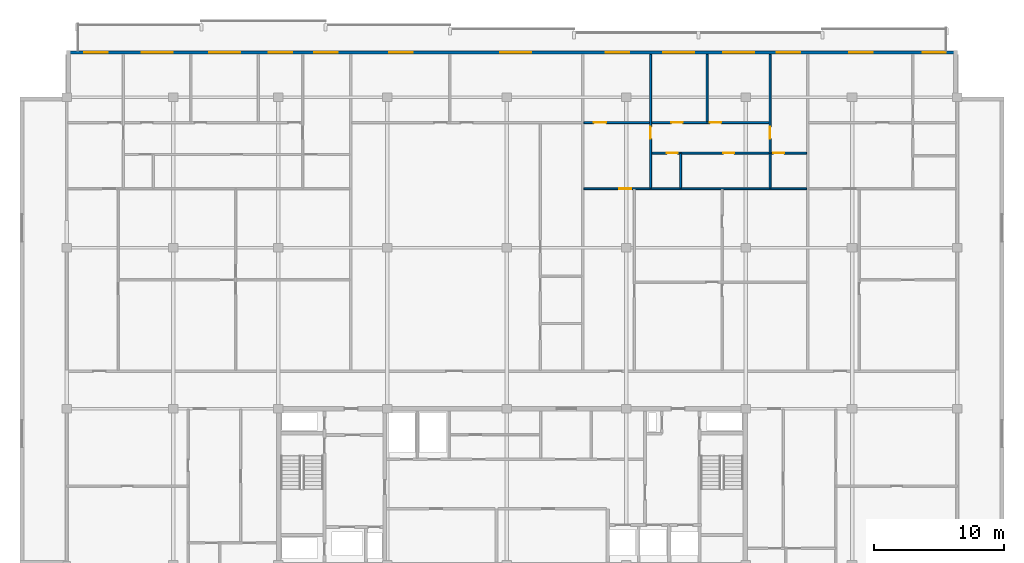
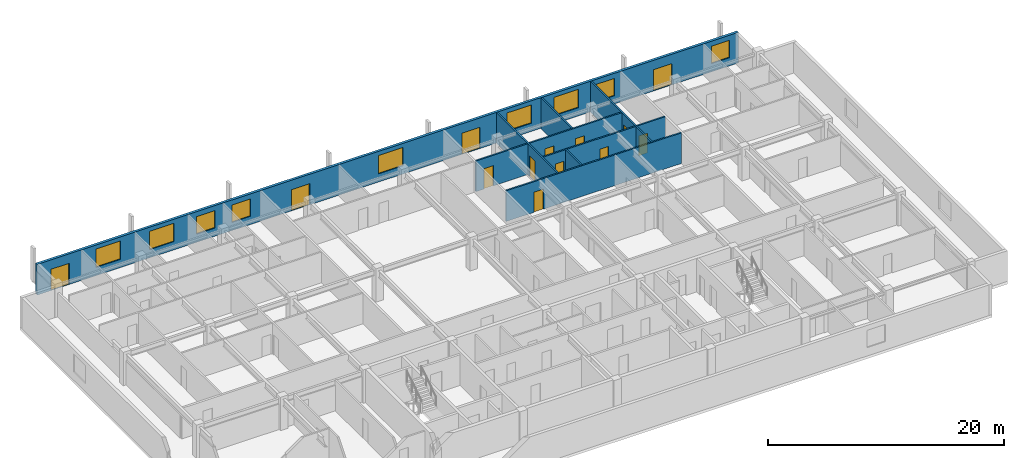
# One storey, part 7 of 10: 13 doors, 9 walls, 9 windows, 22 openings.
"""IFC4 building model written with IfcOpenShell, lengths in metres."""

from ifc_helpers import new_model, si_unit, direction, frame, frame_2d, origin, place, context, subcontext, project, spatial, rectangle, extrude, material, layer, layer_set, type_object, element, fill, save


model = new_model("IFC4")

# Units and contexts
model_context = context("Model", 3, precision=1e-05, world=origin(), true_north=direction((0.0, 1.0)))
body_context = subcontext(model_context, "Body", "Model", "MODEL_VIEW")
ifc_project = project(units=[si_unit("LENGTHUNIT", "METRE"), si_unit("AREAUNIT", "SQUARE_METRE"), si_unit("VOLUMEUNIT", "CUBIC_METRE"), si_unit("PLANEANGLEUNIT", "RADIAN"), si_unit("MASSUNIT", "GRAM", prefix="KILO")], contexts=[model_context])

# Site, building, storey
site_placement = place(None, origin())
site = spatial("IfcSite", under=ifc_project, at=site_placement, CompositionType="ELEMENT")
building_placement = place(site_placement, origin())
building = spatial("IfcBuilding", under=site, at=building_placement, Name="Korimba Cascade Residences", CompositionType="ELEMENT")
storey_placement = place(building_placement, frame((0.0, 0.0, 235.550048828125)))
storey = spatial("IfcBuildingStorey", under=building, at=storey_placement, Name="L68", CompositionType="ELEMENT", Elevation=235.550048828125)

# Wall, openings, doors, windows
ifc_material_1 = material(Name="Precast concrete C40/50", Category="concrete")
ifc_layer_1 = layer(ifc_material_1, 0.25)
ifc_layer_set_1 = layer_set([ifc_layer_1], Name="Precast concrete C40/50")
wall_type_1 = type_object("IfcWallType", Name="EW-LOG-250", PredefinedType="STANDARD", material=ifc_layer_set_1)
wall_1_placement = place(storey_placement, frame((128.39990234375, 94.64990234375, 0.0), z_axis=(0.0, 0.0, 1.0), x_axis=(-1.0, 0.0, 0.0)))
wall_1 = element("IfcWall", 1, at=wall_1_placement, inside=storey, type_object=wall_type_1, Name="L68 T1 Perimeter Stone Wall E06", PredefinedType="STANDARD", context=body_context, shape_type="SweptSolid", body=[
    extrude(rectangle(XDim=68.599853515625, YDim=0.25, at=frame_2d((34.2998046875, 0.0))), origin(), (0.0, 0.0, 1.0), 3.169921875),
])
opening_1_placement = place(wall_1_placement, frame((60.429931640625, 0.0, 0.85009765625)))
opening_1 = element("IfcOpeningElement", 2, at=opening_1_placement, cuts=wall_1, Name="Opening W-01", PredefinedType="OPENING", context=body_context, shape_type="SweptSolid", body=[
    extrude(rectangle(XDim=2.39990234375, YDim=1.89990234375, at=frame_2d((1.199951171875, 0.949951171875))), frame((0.0, 0.135009765625, 0.0), z_axis=(0.0, -1.0, 0.0), x_axis=(1.0, 0.0, 0.0)), (0.0, 0.0, 1.0), 0.27001953125),
])
opening_2_placement = place(wall_1_placement, frame((55.22998046875, 0.0, 0.85009765625)))
opening_2 = element("IfcOpeningElement", 3, at=opening_2_placement, cuts=wall_1, Name="Opening W-01", PredefinedType="OPENING", context=body_context, shape_type="SweptSolid", body=[
    extrude(rectangle(XDim=2.39990234375, YDim=1.89990234375, at=frame_2d((1.199951171875, 0.949951171875))), frame((0.0, 0.135009765625, 0.0), z_axis=(0.0, -1.0, 0.0), x_axis=(1.0, 0.0, 0.0)), (0.0, 0.0, 1.0), 0.27001953125),
])
opening_3_placement = place(wall_1_placement, frame((51.22509765625, 0.0, 0.85009765625)))
opening_3 = element("IfcOpeningElement", 4, at=opening_3_placement, cuts=wall_1, Name="Opening W-02", PredefinedType="OPENING", context=body_context, shape_type="SweptSolid", body=[
    extrude(rectangle(XDim=1.800048828125, YDim=1.800048828125, at=frame_2d((0.89990234375, 0.89990234375))), frame((0.0, 0.135009765625, 0.0), z_axis=(0.0, -1.0, 0.0), x_axis=(1.0, 0.0, 0.0)), (0.0, 0.0, 1.0), 0.27001953125),
])
opening_4_placement = place(wall_1_placement, frame((65.455078125, 0.0, 0.0)))
opening_4 = element("IfcOpeningElement", 5, at=opening_4_placement, cuts=wall_1, Name="Opening D-LG1", PredefinedType="OPENING", context=body_context, shape_type="SweptSolid", body=[
    extrude(rectangle(XDim=1.800048828125, YDim=2.199951171875, at=frame_2d((0.89990234375, 1.10009765625))), frame((0.0, 0.135009765625, 0.0), z_axis=(0.0, -1.0, 0.0), x_axis=(1.0, 0.0, 0.0)), (0.0, 0.0, 1.0), 0.27001953125),
])
opening_5_placement = place(wall_1_placement, frame((47.726318359375, 0.0, 0.85009765625)))
opening_5 = element("IfcOpeningElement", 6, at=opening_5_placement, cuts=wall_1, Name="Opening W-02", PredefinedType="OPENING", context=body_context, shape_type="SweptSolid", body=[
    extrude(rectangle(XDim=1.800048828125, YDim=1.800048828125, at=frame_2d((0.89990234375, 0.89990234375))), frame((0.0, 0.135009765625, 0.0), z_axis=(0.0, -1.0, 0.0), x_axis=(1.0, 0.0, 0.0)), (0.0, 0.0, 1.0), 0.27001953125),
])
opening_6_placement = place(wall_1_placement, frame((41.938232421875, 0.0, 0.0)))
opening_6 = element("IfcOpeningElement", 7, at=opening_6_placement, cuts=wall_1, Name="Opening D-LG1", PredefinedType="OPENING", context=body_context, shape_type="SweptSolid", body=[
    extrude(rectangle(XDim=1.800048828125, YDim=2.199951171875, at=frame_2d((0.89990234375, 1.10009765625))), frame((0.0, 0.135009765625, 0.0), z_axis=(0.0, -1.0, 0.0), x_axis=(1.0, 0.0, 0.0)), (0.0, 0.0, 1.0), 0.27001953125),
])
opening_7_placement = place(wall_1_placement, frame((32.823974609375, 0.0, 0.85009765625)))
opening_7 = element("IfcOpeningElement", 8, at=opening_7_placement, cuts=wall_1, Name="Opening W-01", PredefinedType="OPENING", context=body_context, shape_type="SweptSolid", body=[
    extrude(rectangle(XDim=2.39990234375, YDim=1.89990234375, at=frame_2d((1.199951171875, 0.949951171875))), frame((0.0, 0.135009765625, 0.0), z_axis=(0.0, -1.0, 0.0), x_axis=(1.0, 0.0, 0.0)), (0.0, 0.0, 1.0), 0.27001953125),
])
opening_8_placement = place(wall_1_placement, frame((20.2451171875, 0.0, 0.85009765625)))
opening_8 = element("IfcOpeningElement", 9, at=opening_8_placement, cuts=wall_1, Name="Opening W-01", PredefinedType="OPENING", context=body_context, shape_type="SweptSolid", body=[
    extrude(rectangle(XDim=2.39990234375, YDim=1.89990234375, at=frame_2d((1.199951171875, 0.949951171875))), frame((0.0, 0.135009765625, 0.0), z_axis=(0.0, -1.0, 0.0), x_axis=(1.0, 0.0, 0.0)), (0.0, 0.0, 1.0), 0.27001953125),
])
opening_9_placement = place(wall_1_placement, frame((15.64501953125, 0.0, 0.85009765625)))
opening_9 = element("IfcOpeningElement", 10, at=opening_9_placement, cuts=wall_1, Name="Opening W-01", PredefinedType="OPENING", context=body_context, shape_type="SweptSolid", body=[
    extrude(rectangle(XDim=2.39990234375, YDim=1.89990234375, at=frame_2d((1.199951171875, 0.949951171875))), frame((0.0, 0.135009765625, 0.0), z_axis=(0.0, -1.0, 0.0), x_axis=(1.0, 0.0, 0.0)), (0.0, 0.0, 1.0), 0.27001953125),
])
opening_10_placement = place(wall_1_placement, frame((25.272216796875, 0.0, 0.0)))
opening_10 = element("IfcOpeningElement", 11, at=opening_10_placement, cuts=wall_1, Name="Opening D-LG1", PredefinedType="OPENING", context=body_context, shape_type="SweptSolid", body=[
    extrude(rectangle(XDim=1.800048828125, YDim=2.199951171875, at=frame_2d((0.89990234375, 1.10009765625))), frame((0.0, 0.135009765625, 0.0), z_axis=(0.0, -1.0, 0.0), x_axis=(1.0, 0.0, 0.0)), (0.0, 0.0, 1.0), 0.27001953125),
])
opening_11_placement = place(wall_1_placement, frame((12.110107421875, 0.0, 0.85009765625)))
opening_11 = element("IfcOpeningElement", 12, at=opening_11_placement, cuts=wall_1, Name="Opening W-02", PredefinedType="OPENING", context=body_context, shape_type="SweptSolid", body=[
    extrude(rectangle(XDim=1.800048828125, YDim=1.800048828125, at=frame_2d((0.89990234375, 0.89990234375))), frame((0.0, 0.135009765625, 0.0), z_axis=(0.0, -1.0, 0.0), x_axis=(1.0, 0.0, 0.0)), (0.0, 0.0, 1.0), 0.27001953125),
])
opening_12_placement = place(wall_1_placement, frame((6.51513671875, 0.0, 0.0)))
opening_12 = element("IfcOpeningElement", 13, at=opening_12_placement, cuts=wall_1, Name="Opening D-LG1", PredefinedType="OPENING", context=body_context, shape_type="SweptSolid", body=[
    extrude(rectangle(XDim=1.800048828125, YDim=2.199951171875, at=frame_2d((0.89990234375, 1.10009765625))), frame((0.0, 0.135009765625, 0.0), z_axis=(0.0, -1.0, 0.0), x_axis=(1.0, 0.0, 0.0)), (0.0, 0.0, 1.0), 0.27001953125),
])
opening_13_placement = place(wall_1_placement, frame((0.8701171875, 0.0, 0.85009765625)))
opening_13 = element("IfcOpeningElement", 14, at=opening_13_placement, cuts=wall_1, Name="Opening W-02", PredefinedType="OPENING", context=body_context, shape_type="SweptSolid", body=[
    extrude(rectangle(XDim=1.800048828125, YDim=1.800048828125, at=frame_2d((0.89990234375, 0.89990234375))), frame((0.0, 0.135009765625, 0.0), z_axis=(0.0, -1.0, 0.0), x_axis=(1.0, 0.0, 0.0)), (0.0, 0.0, 1.0), 0.27001953125),
])
ifc_material_2 = material(Name="Glazed Aluminium Loggia Sliding Door", Category="aluminium")
door_type_1 = type_object("IfcDoorType", Name="DR-EXT-LOG", OperationType="NOTDEFINED", PredefinedType="DOOR", material=ifc_material_2)
door_1_placement = place(opening_4_placement, origin())
door_1 = element("IfcDoor", 15, at=door_1_placement, inside=storey, type_object=door_type_1, Name="L68 T1 Loggia Sliding Door 6", OperationType="SLIDING_TO_LEFT", OverallHeight=2.199951171875, OverallWidth=1.800048828125, PredefinedType="DOOR", context=body_context, shape_type="SweptSolid", body=[
    extrude(rectangle(XDim=1.800048828125, YDim=2.199951171875, at=frame_2d((0.89990234375, 1.10009765625))), frame((0.0, 0.02490234375, 0.0), z_axis=(0.0, -1.0, 0.0), x_axis=(1.0, 0.0, 0.0)), (0.0, 0.0, 1.0), 0.050048828125),
])
fill(opening_4, door_1)
door_2_placement = place(opening_6_placement, origin())
door_2 = element("IfcDoor", 16, at=door_2_placement, inside=storey, type_object=door_type_1, Name="L68 T1 Loggia Sliding Door 8", OperationType="SLIDING_TO_LEFT", OverallHeight=2.199951171875, OverallWidth=1.800048828125, PredefinedType="DOOR", context=body_context, shape_type="SweptSolid", body=[
    extrude(rectangle(XDim=1.800048828125, YDim=2.199951171875, at=frame_2d((0.89990234375, 1.10009765625))), frame((0.0, 0.02490234375, 0.0), z_axis=(0.0, -1.0, 0.0), x_axis=(1.0, 0.0, 0.0)), (0.0, 0.0, 1.0), 0.050048828125),
])
fill(opening_6, door_2)
door_3_placement = place(opening_10_placement, origin())
door_3 = element("IfcDoor", 17, at=door_3_placement, inside=storey, type_object=door_type_1, Name="L68 T1 Loggia Sliding Door 12", OperationType="SLIDING_TO_LEFT", OverallHeight=2.199951171875, OverallWidth=1.800048828125, PredefinedType="DOOR", context=body_context, shape_type="SweptSolid", body=[
    extrude(rectangle(XDim=1.800048828125, YDim=2.199951171875, at=frame_2d((0.89990234375, 1.10009765625))), frame((0.0, 0.02490234375, 0.0), z_axis=(0.0, -1.0, 0.0), x_axis=(1.0, 0.0, 0.0)), (0.0, 0.0, 1.0), 0.050048828125),
])
fill(opening_10, door_3)
door_4_placement = place(opening_12_placement, origin())
door_4 = element("IfcDoor", 18, at=door_4_placement, inside=storey, type_object=door_type_1, Name="L68 T1 Loggia Sliding Door 14", OperationType="SLIDING_TO_LEFT", OverallHeight=2.199951171875, OverallWidth=1.800048828125, PredefinedType="DOOR", context=body_context, shape_type="SweptSolid", body=[
    extrude(rectangle(XDim=1.800048828125, YDim=2.199951171875, at=frame_2d((0.89990234375, 1.10009765625))), frame((0.0, 0.02490234375, 0.0), z_axis=(0.0, -1.0, 0.0), x_axis=(1.0, 0.0, 0.0)), (0.0, 0.0, 1.0), 0.050048828125),
])
fill(opening_12, door_4)
ifc_material_3 = material(Name="Double-Glazed Aluminium Window", Category="aluminium")
window_type_1 = type_object("IfcWindowType", Name="WIN-BED-1800", PartitioningType="SINGLE_PANEL", PredefinedType="WINDOW", material=ifc_material_3)
window_1_placement = place(opening_3_placement, origin())
window_1 = element("IfcWindow", 19, at=window_1_placement, inside=storey, type_object=window_type_1, Name="L68 T1 North Facade Window 5", OverallHeight=1.800048828125, OverallWidth=1.800048828125, PartitioningType="SINGLE_PANEL", PredefinedType="WINDOW", context=body_context, shape_type="SweptSolid", body=[
    extrude(rectangle(XDim=1.800048828125, YDim=1.800048828125, at=frame_2d((0.89990234375, 0.89990234375))), frame((0.0, 0.030029296875, 0.0), z_axis=(0.0, -1.0, 0.0), x_axis=(1.0, 0.0, 0.0)), (0.0, 0.0, 1.0), 0.06005859375),
])
fill(opening_3, window_1)
window_2_placement = place(opening_5_placement, origin())
window_2 = element("IfcWindow", 20, at=window_2_placement, inside=storey, type_object=window_type_1, Name="L68 T1 North Facade Window 7", OverallHeight=1.800048828125, OverallWidth=1.800048828125, PartitioningType="SINGLE_PANEL", PredefinedType="WINDOW", context=body_context, shape_type="SweptSolid", body=[
    extrude(rectangle(XDim=1.800048828125, YDim=1.800048828125, at=frame_2d((0.89990234375, 0.89990234375))), frame((0.0, 0.030029296875, 0.0), z_axis=(0.0, -1.0, 0.0), x_axis=(1.0, 0.0, 0.0)), (0.0, 0.0, 1.0), 0.06005859375),
])
fill(opening_5, window_2)
window_3_placement = place(opening_11_placement, origin())
window_3 = element("IfcWindow", 21, at=window_3_placement, inside=storey, type_object=window_type_1, Name="L68 T1 North Facade Window 13", OverallHeight=1.800048828125, OverallWidth=1.800048828125, PartitioningType="SINGLE_PANEL", PredefinedType="WINDOW", context=body_context, shape_type="SweptSolid", body=[
    extrude(rectangle(XDim=1.800048828125, YDim=1.800048828125, at=frame_2d((0.89990234375, 0.89990234375))), frame((0.0, 0.030029296875, 0.0), z_axis=(0.0, -1.0, 0.0), x_axis=(1.0, 0.0, 0.0)), (0.0, 0.0, 1.0), 0.06005859375),
])
fill(opening_11, window_3)
window_4_placement = place(opening_13_placement, origin())
window_4 = element("IfcWindow", 22, at=window_4_placement, inside=storey, type_object=window_type_1, Name="L68 T1 North Facade Window 15", OverallHeight=1.800048828125, OverallWidth=1.800048828125, PartitioningType="SINGLE_PANEL", PredefinedType="WINDOW", context=body_context, shape_type="SweptSolid", body=[
    extrude(rectangle(XDim=1.800048828125, YDim=1.800048828125, at=frame_2d((0.89990234375, 0.89990234375))), frame((0.0, 0.030029296875, 0.0), z_axis=(0.0, -1.0, 0.0), x_axis=(1.0, 0.0, 0.0)), (0.0, 0.0, 1.0), 0.06005859375),
])
fill(opening_13, window_4)
window_type_2 = type_object("IfcWindowType", Name="WIN-RES-2400", PartitioningType="DOUBLE_PANEL_VERTICAL", PredefinedType="WINDOW", material=ifc_material_3)
window_5_placement = place(opening_1_placement, origin())
window_5 = element("IfcWindow", 23, at=window_5_placement, inside=storey, type_object=window_type_2, Name="L68 T1 North Facade Window 3", OverallHeight=1.89990234375, OverallWidth=2.39990234375, PartitioningType="DOUBLE_PANEL_VERTICAL", PredefinedType="WINDOW", context=body_context, shape_type="SweptSolid", body=[
    extrude(rectangle(XDim=2.39990234375, YDim=1.89990234375, at=frame_2d((1.199951171875, 0.949951171875))), frame((0.0, 0.030029296875, 0.0), z_axis=(0.0, -1.0, 0.0), x_axis=(1.0, 0.0, 0.0)), (0.0, 0.0, 1.0), 0.06005859375),
])
fill(opening_1, window_5)
window_6_placement = place(opening_2_placement, origin())
window_6 = element("IfcWindow", 24, at=window_6_placement, inside=storey, type_object=window_type_2, Name="L68 T1 North Facade Window 4", OverallHeight=1.89990234375, OverallWidth=2.39990234375, PartitioningType="DOUBLE_PANEL_VERTICAL", PredefinedType="WINDOW", context=body_context, shape_type="SweptSolid", body=[
    extrude(rectangle(XDim=2.39990234375, YDim=1.89990234375, at=frame_2d((1.199951171875, 0.949951171875))), frame((0.0, 0.030029296875, 0.0), z_axis=(0.0, -1.0, 0.0), x_axis=(1.0, 0.0, 0.0)), (0.0, 0.0, 1.0), 0.06005859375),
])
fill(opening_2, window_6)
window_7_placement = place(opening_7_placement, origin())
window_7 = element("IfcWindow", 25, at=window_7_placement, inside=storey, type_object=window_type_2, Name="L68 T1 North Facade Window 9", OverallHeight=1.89990234375, OverallWidth=2.39990234375, PartitioningType="DOUBLE_PANEL_VERTICAL", PredefinedType="WINDOW", context=body_context, shape_type="SweptSolid", body=[
    extrude(rectangle(XDim=2.39990234375, YDim=1.89990234375, at=frame_2d((1.199951171875, 0.949951171875))), frame((0.0, 0.030029296875, 0.0), z_axis=(0.0, -1.0, 0.0), x_axis=(1.0, 0.0, 0.0)), (0.0, 0.0, 1.0), 0.06005859375),
])
fill(opening_7, window_7)
window_8_placement = place(opening_8_placement, origin())
window_8 = element("IfcWindow", 26, at=window_8_placement, inside=storey, type_object=window_type_2, Name="L68 T1 North Facade Window 10", OverallHeight=1.89990234375, OverallWidth=2.39990234375, PartitioningType="DOUBLE_PANEL_VERTICAL", PredefinedType="WINDOW", context=body_context, shape_type="SweptSolid", body=[
    extrude(rectangle(XDim=2.39990234375, YDim=1.89990234375, at=frame_2d((1.199951171875, 0.949951171875))), frame((0.0, 0.030029296875, 0.0), z_axis=(0.0, -1.0, 0.0), x_axis=(1.0, 0.0, 0.0)), (0.0, 0.0, 1.0), 0.06005859375),
])
fill(opening_8, window_8)
window_9_placement = place(opening_9_placement, origin())
window_9 = element("IfcWindow", 27, at=window_9_placement, inside=storey, type_object=window_type_2, Name="L68 T1 North Facade Window 11", OverallHeight=1.89990234375, OverallWidth=2.39990234375, PartitioningType="DOUBLE_PANEL_VERTICAL", PredefinedType="WINDOW", context=body_context, shape_type="SweptSolid", body=[
    extrude(rectangle(XDim=2.39990234375, YDim=1.89990234375, at=frame_2d((1.199951171875, 0.949951171875))), frame((0.0, 0.030029296875, 0.0), z_axis=(0.0, -1.0, 0.0), x_axis=(1.0, 0.0, 0.0)), (0.0, 0.0, 1.0), 0.06005859375),
])
fill(opening_9, window_9)

# Walls
ifc_material_4 = material(Name="Insulated Acoustic Stud Partition", Category="gypsum")
ifc_layer_2 = layer(ifc_material_4, 0.14990234375)
ifc_layer_set_2 = layer_set([ifc_layer_2], Name="Insulated Acoustic Stud Partition")
wall_type_2 = type_object("IfcWallType", Name="WAL-PART-150", PredefinedType="PARTITIONING", material=ifc_layer_set_2)
wall_2_placement = place(storey_placement, frame((107.090087890625, 84.18994140625, 0.0), z_axis=(0.0, 0.0, 1.0), x_axis=(0.0, 1.0, 0.0)))
element("IfcWall", 28, at=wall_2_placement, inside=storey, type_object=wall_type_2, Name="L68 Partition Wall WAL-L68-T1-U03-VDRS", PredefinedType="PARTITIONING", context=body_context, shape_type="SweptSolid", body=[
    extrude(rectangle(XDim=2.68994140625, YDim=0.14990234375, at=frame_2d((1.344970703125, 0.0))), origin(), (0.0, 0.0, 1.0), 3.169921875),
])
wall_3_placement = place(storey_placement, frame((109.1298828125, 89.330078125, 0.0), z_axis=(0.0, 0.0, 1.0), x_axis=(0.0, 1.0, 0.0)))
element("IfcWall", 29, at=wall_3_placement, inside=storey, type_object=wall_type_2, Name="L68 Partition Wall WAL-L68-T1-U03-VSTD", PredefinedType="PARTITIONING", context=body_context, shape_type="SweptSolid", body=[
    extrude(rectangle(XDim=5.169921875, YDim=0.14990234375, at=frame_2d((2.5849609375, 0.0))), origin(), (0.0, 0.0, 1.0), 3.169921875),
])

# Wall, opening, door
wall_4_placement = place(storey_placement, frame((104.780029296875, 84.18994140625, 0.0), z_axis=(0.0, 0.0, 1.0), x_axis=(0.0, 1.0, 0.0)))
wall_4 = element("IfcWall", 30, at=wall_4_placement, inside=storey, type_object=wall_type_2, Name="L68 Partition Wall WAL-L68-T1-U03-V1", PredefinedType="PARTITIONING", context=body_context, shape_type="SweptSolid", body=[
    extrude(rectangle(XDim=10.31005859375, YDim=0.14990234375, at=frame_2d((5.155029296875, 0.0))), origin(), (0.0, 0.0, 1.0), 3.169921875),
])
opening_14_placement = place(wall_4_placement, frame((3.820068359375, 0.0, 0.0)))
opening_14 = element("IfcOpeningElement", 31, at=opening_14_placement, cuts=wall_4, Name="Opening D-IN1", PredefinedType="OPENING", context=body_context, shape_type="SweptSolid", body=[
    extrude(rectangle(XDim=0.919921875, YDim=2.080078125, at=frame_2d((0.4599609375, 1.0400390625))), frame((0.0, 0.0849609375, 0.0), z_axis=(0.0, -1.0, 0.0), x_axis=(1.0, 0.0, 0.0)), (0.0, 0.0, 1.0), 0.169921875),
])
ifc_material_5 = material(Name="Acoustic Timber Living Door", Category="wood")
door_type_2 = type_object("IfcDoorType", Name="DR-INT-920", OperationType="NOTDEFINED", PredefinedType="DOOR", material=ifc_material_5)
door_5_placement = place(opening_14_placement, origin())
door_5 = element("IfcDoor", 32, at=door_5_placement, inside=storey, type_object=door_type_2, Name="L68-T1-U03 Hallway Door", OperationType="SINGLE_SWING_RIGHT", OverallHeight=2.080078125, OverallWidth=0.919921875, PredefinedType="DOOR", context=body_context, shape_type="SweptSolid", body=[
    extrude(rectangle(XDim=0.919921875, YDim=2.080078125, at=frame_2d((0.4599609375, 1.0400390625))), frame((0.0, 0.02490234375, 0.0), z_axis=(0.0, -1.0, 0.0), x_axis=(1.0, 0.0, 0.0)), (0.0, 0.0, 1.0), 0.050048828125),
])
fill(opening_14, door_5)

# Wall
wall_5_placement = place(storey_placement, frame((113.97998046875, 84.18994140625, 0.0), z_axis=(0.0, 0.0, 1.0), x_axis=(0.0, 1.0, 0.0)))
element("IfcWall", 33, at=wall_5_placement, inside=storey, type_object=wall_type_2, Name="L68 Partition Wall WAL-L68-T1-U03-VBATH", PredefinedType="PARTITIONING", context=body_context, shape_type="SweptSolid", body=[
    extrude(rectangle(XDim=2.68994140625, YDim=0.14990234375, at=frame_2d((1.344970703125, 0.0))), origin(), (0.0, 0.0, 1.0), 3.169921875),
])

# Wall, opening, door
wall_6_placement = place(storey_placement, frame((113.97998046875, 86.919921875, 0.0), z_axis=(0.0, 0.0, 1.0), x_axis=(0.0, 1.0, 0.0)))
wall_6 = element("IfcWall", 34, at=wall_6_placement, inside=storey, type_object=wall_type_2, Name="L68 Partition Wall WAL-L68-T1-U03-V2FULL", PredefinedType="PARTITIONING", context=body_context, shape_type="SweptSolid", body=[
    extrude(rectangle(XDim=7.580078125, YDim=0.14990234375, at=frame_2d((3.7900390625, 0.0))), origin(), (0.0, 0.0, 1.0), 3.169921875),
])
opening_15_placement = place(wall_6_placement, frame((1.090087890625, 0.0, 0.0)))
opening_15 = element("IfcOpeningElement", 35, at=opening_15_placement, cuts=wall_6, Name="Opening D-IN1", PredefinedType="OPENING", context=body_context, shape_type="SweptSolid", body=[
    extrude(rectangle(XDim=0.919921875, YDim=2.080078125, at=frame_2d((0.4599609375, 1.0400390625))), frame((0.0, 0.0849609375, 0.0), z_axis=(0.0, -1.0, 0.0), x_axis=(1.0, 0.0, 0.0)), (0.0, 0.0, 1.0), 0.169921875),
])
door_6_placement = place(opening_15_placement, origin())
door_6 = element("IfcDoor", 36, at=door_6_placement, inside=storey, type_object=door_type_2, Name="L68-T1-U03 Master Bedroom Door", OperationType="SINGLE_SWING_LEFT", OverallHeight=2.080078125, OverallWidth=0.919921875, PredefinedType="DOOR", context=body_context, shape_type="SweptSolid", body=[
    extrude(rectangle(XDim=0.919921875, YDim=2.080078125, at=frame_2d((0.4599609375, 1.0400390625))), frame((0.0, 0.02490234375, 0.0), z_axis=(0.0, -1.0, 0.0), x_axis=(1.0, 0.0, 0.0)), (0.0, 0.0, 1.0), 0.050048828125),
])
fill(opening_15, door_6)

# Wall, openings, doors
wall_7_placement = place(storey_placement, frame((104.820068359375, 86.89990234375, 0.0), z_axis=(0.0, 0.0, 1.0), x_axis=(1.0, 0.0, 0.0)))
wall_7 = element("IfcWall", 37, at=wall_7_placement, inside=storey, type_object=wall_type_2, Name="L68 Partition Wall WAL-L68-T1-U03-HWALL", PredefinedType="PARTITIONING", context=body_context, shape_type="SweptSolid", body=[
    extrude(rectangle(XDim=11.969482421875, YDim=0.14990234375, at=frame_2d((5.98486328125, 0.0))), origin(), (0.0, 0.0, 1.0), 3.169921875),
])
opening_16_placement = place(wall_7_placement, frame((1.2099609375, 0.0, 0.0)))
opening_16 = element("IfcOpeningElement", 38, at=opening_16_placement, cuts=wall_7, Name="Opening D-BT1", PredefinedType="OPENING", context=body_context, shape_type="SweptSolid", body=[
    extrude(rectangle(XDim=0.840087890625, YDim=2.0400390625, at=frame_2d((0.419921875, 1.02001953125))), frame((0.0, 0.0849609375, 0.0), z_axis=(0.0, -1.0, 0.0), x_axis=(1.0, 0.0, 0.0)), (0.0, 0.0, 1.0), 0.169921875),
])
opening_17_placement = place(wall_7_placement, frame((5.564697265625, 0.0, 0.0)))
opening_17 = element("IfcOpeningElement", 39, at=opening_17_placement, cuts=wall_7, Name="Opening D-BT1", PredefinedType="OPENING", context=body_context, shape_type="SweptSolid", body=[
    extrude(rectangle(XDim=0.840087890625, YDim=2.0400390625, at=frame_2d((0.419921875, 1.02001953125))), frame((0.0, 0.0849609375, 0.0), z_axis=(0.0, -1.0, 0.0), x_axis=(1.0, 0.0, 0.0)), (0.0, 0.0, 1.0), 0.169921875),
])
opening_18_placement = place(wall_7_placement, frame((9.409912109375, 0.0, 0.0)))
opening_18 = element("IfcOpeningElement", 40, at=opening_18_placement, cuts=wall_7, Name="Opening D-BT1", PredefinedType="OPENING", context=body_context, shape_type="SweptSolid", body=[
    extrude(rectangle(XDim=0.840087890625, YDim=2.0400390625, at=frame_2d((0.419921875, 1.02001953125))), frame((0.0, 0.0849609375, 0.0), z_axis=(0.0, -1.0, 0.0), x_axis=(1.0, 0.0, 0.0)), (0.0, 0.0, 1.0), 0.169921875),
])
ifc_material_6 = material(Name="Moisture-Resistant Bathroom Timber Door", Category="wood")
door_type_3 = type_object("IfcDoorType", Name="DR-INT-850", OperationType="NOTDEFINED", PredefinedType="DOOR", material=ifc_material_6)
door_7_placement = place(opening_16_placement, origin())
door_7 = element("IfcDoor", 41, at=door_7_placement, inside=storey, type_object=door_type_3, Name="L68-T1-U03 Family Bathroom Door", OperationType="SINGLE_SWING_RIGHT", OverallHeight=2.0400390625, OverallWidth=0.840087890625, PredefinedType="DOOR", context=body_context, shape_type="SweptSolid", body=[
    extrude(rectangle(XDim=0.840087890625, YDim=2.0400390625, at=frame_2d((0.419921875, 1.02001953125))), frame((0.0, 0.02490234375, 0.0), z_axis=(0.0, -1.0, 0.0), x_axis=(1.0, 0.0, 0.0)), (0.0, 0.0, 1.0), 0.050048828125),
])
fill(opening_16, door_7)
door_8_placement = place(opening_17_placement, origin())
door_8 = element("IfcDoor", 42, at=door_8_placement, inside=storey, type_object=door_type_3, Name="L68-T1-U03 Dressing Room Door", OperationType="SINGLE_SWING_LEFT", OverallHeight=2.0400390625, OverallWidth=0.840087890625, PredefinedType="DOOR", context=body_context, shape_type="SweptSolid", body=[
    extrude(rectangle(XDim=0.840087890625, YDim=2.0400390625, at=frame_2d((0.419921875, 1.02001953125))), frame((0.0, 0.02490234375, 0.0), z_axis=(0.0, -1.0, 0.0), x_axis=(1.0, 0.0, 0.0)), (0.0, 0.0, 1.0), 0.050048828125),
])
fill(opening_17, door_8)
door_9_placement = place(opening_18_placement, origin())
door_9 = element("IfcDoor", 43, at=door_9_placement, inside=storey, type_object=door_type_3, Name="L68-T1-U03 En-Suite Door", OperationType="SINGLE_SWING_RIGHT", OverallHeight=2.0400390625, OverallWidth=0.840087890625, PredefinedType="DOOR", context=body_context, shape_type="SweptSolid", body=[
    extrude(rectangle(XDim=0.840087890625, YDim=2.0400390625, at=frame_2d((0.419921875, 1.02001953125))), frame((0.0, 0.02490234375, 0.0), z_axis=(0.0, -1.0, 0.0), x_axis=(1.0, 0.0, 0.0)), (0.0, 0.0, 1.0), 0.050048828125),
])
fill(opening_18, door_9)

# Wall, opening, door
wall_8_placement = place(storey_placement, frame((99.635498046875, 84.14990234375, 0.0), z_axis=(0.0, 0.0, 1.0), x_axis=(1.0, 0.0, 0.0)))
wall_8 = element("IfcWall", 44, at=wall_8_placement, inside=storey, type_object=wall_type_2, Name="L68 Partition Wall WAL-L68-T1-U03-MW", PredefinedType="PARTITIONING", context=body_context, shape_type="SweptSolid", body=[
    extrude(rectangle(XDim=17.154052734375, YDim=0.14990234375, at=frame_2d((8.5771484375, 0.0))), origin(), (0.0, 0.0, 1.0), 3.169921875),
])
opening_19_placement = place(wall_8_placement, frame((2.719970703125, 0.0, 0.0)))
opening_19 = element("IfcOpeningElement", 45, at=opening_19_placement, cuts=wall_8, Name="Opening D-IN1", PredefinedType="OPENING", context=body_context, shape_type="SweptSolid", body=[
    extrude(rectangle(XDim=0.919921875, YDim=2.080078125, at=frame_2d((0.4599609375, 1.0400390625))), frame((0.0, 0.0849609375, 0.0), z_axis=(0.0, -1.0, 0.0), x_axis=(1.0, 0.0, 0.0)), (0.0, 0.0, 1.0), 0.169921875),
])
door_10_placement = place(opening_19_placement, origin())
door_10 = element("IfcDoor", 46, at=door_10_placement, inside=storey, type_object=door_type_2, Name="L68-T1-U03 Kitchen Door", OperationType="SINGLE_SWING_LEFT", OverallHeight=2.080078125, OverallWidth=0.919921875, PredefinedType="DOOR", context=body_context, shape_type="SweptSolid", body=[
    extrude(rectangle(XDim=0.919921875, YDim=2.080078125, at=frame_2d((0.4599609375, 1.0400390625))), frame((0.0, 0.02490234375, 0.0), z_axis=(0.0, -1.0, 0.0), x_axis=(1.0, 0.0, 0.0)), (0.0, 0.0, 1.0), 0.050048828125),
])
fill(opening_19, door_10)

# Wall, openings, doors
wall_9_placement = place(storey_placement, frame((99.635498046875, 89.25, 0.0), z_axis=(0.0, 0.0, 1.0), x_axis=(1.0, 0.0, 0.0)))
wall_9 = element("IfcWall", 47, at=wall_9_placement, inside=storey, type_object=wall_type_2, Name="L68 Partition Wall WAL-L68-T1-U03-HZ", PredefinedType="PARTITIONING", context=body_context, shape_type="SweptSolid", body=[
    extrude(rectangle(XDim=14.344482421875, YDim=0.14990234375, at=frame_2d((7.17236328125, 0.0))), origin(), (0.0, 0.0, 1.0), 3.169921875),
])
opening_20_placement = place(wall_9_placement, frame((0.7685546875, 0.0, 0.0)))
opening_20 = element("IfcOpeningElement", 48, at=opening_20_placement, cuts=wall_9, Name="Opening D-IN0", PredefinedType="OPENING", context=body_context, shape_type="SweptSolid", body=[
    extrude(rectangle(XDim=0.93994140625, YDim=2.10009765625, at=frame_2d((0.469970703125, 1.050048828125))), frame((0.0, 0.0849609375, 0.0), z_axis=(0.0, -1.0, 0.0), x_axis=(1.0, 0.0, 0.0)), (0.0, 0.0, 1.0), 0.169921875),
])
opening_21_placement = place(wall_9_placement, frame((6.732177734375, 0.0, 0.0)))
opening_21 = element("IfcOpeningElement", 49, at=opening_21_placement, cuts=wall_9, Name="Opening D-IN2", PredefinedType="OPENING", context=body_context, shape_type="SweptSolid", body=[
    extrude(rectangle(XDim=0.8798828125, YDim=2.06005859375, at=frame_2d((0.43994140625, 1.030029296875))), frame((0.0, 0.0849609375, 0.0), z_axis=(0.0, -1.0, 0.0), x_axis=(1.0, 0.0, 0.0)), (0.0, 0.0, 1.0), 0.169921875),
])
opening_22_placement = place(wall_9_placement, frame((9.71435546875, 0.0, 0.0)))
opening_22 = element("IfcOpeningElement", 50, at=opening_22_placement, cuts=wall_9, Name="Opening D-IN2", PredefinedType="OPENING", context=body_context, shape_type="SweptSolid", body=[
    extrude(rectangle(XDim=0.8798828125, YDim=2.06005859375, at=frame_2d((0.43994140625, 1.030029296875))), frame((0.0, 0.0849609375, 0.0), z_axis=(0.0, -1.0, 0.0), x_axis=(1.0, 0.0, 0.0)), (0.0, 0.0, 1.0), 0.169921875),
])
ifc_material_7 = material(Name="Acoustic Timber Bedroom Door", Category="wood")
door_type_4 = type_object("IfcDoorType", Name="DR-INT-880", OperationType="NOTDEFINED", PredefinedType="DOOR", material=ifc_material_7)
door_11_placement = place(opening_21_placement, origin())
door_11 = element("IfcDoor", 51, at=door_11_placement, inside=storey, type_object=door_type_4, Name="L68-T1-U03 Bedroom 2 Door", OperationType="SINGLE_SWING_LEFT", OverallHeight=2.06005859375, OverallWidth=0.8798828125, PredefinedType="DOOR", context=body_context, shape_type="SweptSolid", body=[
    extrude(rectangle(XDim=0.8798828125, YDim=2.06005859375, at=frame_2d((0.43994140625, 1.030029296875))), frame((0.0, 0.02490234375, 0.0), z_axis=(0.0, -1.0, 0.0), x_axis=(1.0, 0.0, 0.0)), (0.0, 0.0, 1.0), 0.050048828125),
])
fill(opening_21, door_11)
door_12_placement = place(opening_22_placement, origin())
door_12 = element("IfcDoor", 52, at=door_12_placement, inside=storey, type_object=door_type_4, Name="L68-T1-U03 Study Door", OperationType="SINGLE_SWING_RIGHT", OverallHeight=2.06005859375, OverallWidth=0.8798828125, PredefinedType="DOOR", context=body_context, shape_type="SweptSolid", body=[
    extrude(rectangle(XDim=0.8798828125, YDim=2.06005859375, at=frame_2d((0.43994140625, 1.030029296875))), frame((0.0, 0.02490234375, 0.0), z_axis=(0.0, -1.0, 0.0), x_axis=(1.0, 0.0, 0.0)), (0.0, 0.0, 1.0), 0.050048828125),
])
fill(opening_22, door_12)
ifc_material_8 = material(Name="Acoustic Timber Living Archway Door", Category="wood")
door_type_5 = type_object("IfcDoorType", Name="DR-INT-950", OperationType="NOTDEFINED", PredefinedType="DOOR", material=ifc_material_8)
door_13_placement = place(opening_20_placement, origin())
door_13 = element("IfcDoor", 53, at=door_13_placement, inside=storey, type_object=door_type_5, Name="L68-T1-U03 Living Room Door", OperationType="SINGLE_SWING_RIGHT", OverallHeight=2.10009765625, OverallWidth=0.93994140625, PredefinedType="DOOR", context=body_context, shape_type="SweptSolid", body=[
    extrude(rectangle(XDim=0.93994140625, YDim=2.10009765625, at=frame_2d((0.469970703125, 1.050048828125))), frame((0.0, 0.02490234375, 0.0), z_axis=(0.0, -1.0, 0.0), x_axis=(1.0, 0.0, 0.0)), (0.0, 0.0, 1.0), 0.050048828125),
])
fill(opening_20, door_13)

save(model, "model.ifc")
